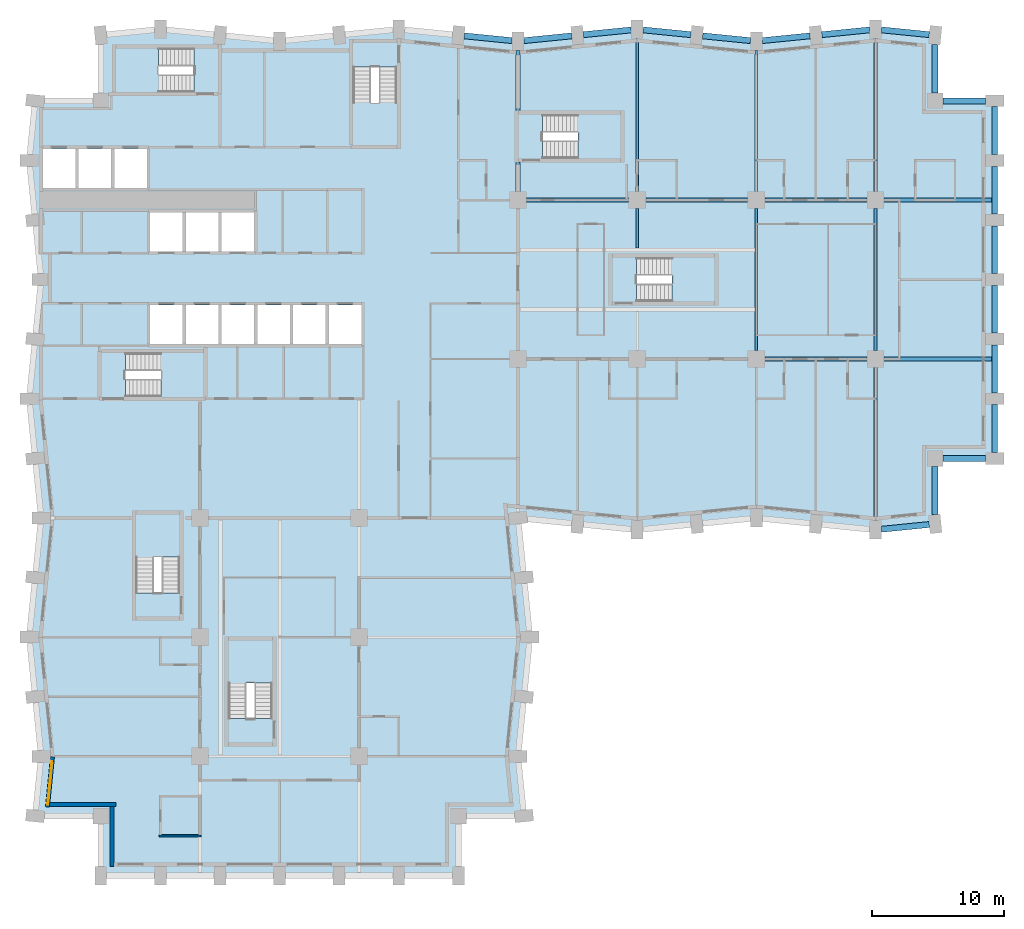
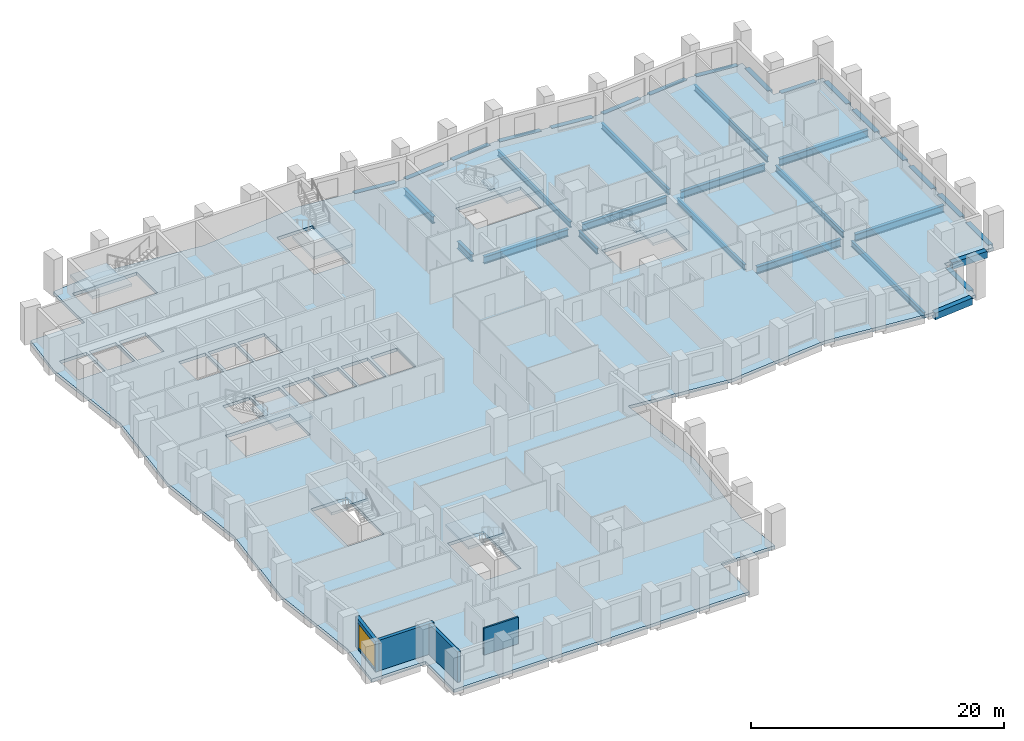
# One storey, part 2 of 13: 34 beams, 8 slabs, 4 walls, 1 window, 1 opening, 7 elements without a shape of their own.
"""IFC4 building model written with IfcOpenShell, lengths in metres."""

from ifc_helpers import new_model, si_unit, direction, frame, frame_2d, origin, origin_2d, place, context, subcontext, project, spatial, polyline, rectangle, i_section, outline, extrude, material, layer, layer_set, material_profile, profile_set, type_object, element, fill, aggregate, save


model = new_model("IFC4")

# Units and contexts
model_context = context("Model", 3, precision=1e-05, world=origin(), true_north=direction((0.0, 1.0)))
body_context = subcontext(model_context, "Body", "Model", "MODEL_VIEW")
ifc_project = project(units=[si_unit("LENGTHUNIT", "METRE"), si_unit("AREAUNIT", "SQUARE_METRE"), si_unit("VOLUMEUNIT", "CUBIC_METRE"), si_unit("PLANEANGLEUNIT", "RADIAN"), si_unit("MASSUNIT", "GRAM", prefix="KILO")], contexts=[model_context])

# Site, building, storey
site_placement = place(None, origin())
site = spatial("IfcSite", under=ifc_project, at=site_placement, CompositionType="ELEMENT")
building_placement = place(site_placement, origin())
building = spatial("IfcBuilding", under=site, at=building_placement, Name="Brondeck Convention Tower", CompositionType="ELEMENT")
storey_placement = place(building_placement, frame((0.0, 0.0, 69.89990234375)))
storey = spatial("IfcBuildingStorey", under=building, at=storey_placement, Name="L15", CompositionType="ELEMENT", Elevation=69.89990234375)

# Beams
ifc_material_1 = material(Name="Steel S355", Category="steel")
ifc_material_profile_1 = material_profile(ifc_material_1, i_section(OverallWidth=0.2099609375, OverallDepth=0.550048828125, WebThickness=0.010986328125, FlangeThickness=0.01708984375, FilletRadius=0.02392578125, at=origin_2d()), Name="IPE 550")
ifc_profile_set_1 = profile_set([ifc_material_profile_1], Name="Steel S355")
beam_type_1 = type_object("IfcBeamType", Name="Floor beam IPE 550", PredefinedType="BEAM", material=ifc_profile_set_1)
beam_1_placement = place(storey_placement, frame((45.0, 51.64990234375, -0.574951171875), z_axis=(0.0, 1.0, 0.0), x_axis=(-1.0, 0.0, 0.0)))
element("IfcBeam", 1, at=beam_1_placement, inside=storey, type_object=beam_type_1, Name="STR-FB-L15-002", PredefinedType="BEAM", context=body_context, shape_type="SweptSolid", body=[
    extrude(i_section(OverallWidth=0.2099609375, OverallDepth=0.550048828125, WebThickness=0.010986328125, FlangeThickness=0.01708984375, FilletRadius=0.02392578125, at=origin_2d()), origin(), (0.0, 0.0, 1.0), 11.550048828125),
])
beam_2_placement = place(storey_placement, frame((54.0, 39.64990234375, -0.574951171875), z_axis=(0.0, 1.0, 0.0), x_axis=(-1.0, 0.0, 0.0)))
element("IfcBeam", 2, at=beam_2_placement, inside=storey, type_object=beam_type_1, Name="STR-FB-L15-004", PredefinedType="BEAM", context=body_context, shape_type="SweptSolid", body=[
    extrude(i_section(OverallWidth=0.2099609375, OverallDepth=0.550048828125, WebThickness=0.010986328125, FlangeThickness=0.01708984375, FilletRadius=0.02392578125, at=origin_2d()), origin(), (0.0, 0.0, 1.0), 10.7001953125),
])
beam_3_placement = place(storey_placement, frame((54.0, 51.64990234375, -0.574951171875), z_axis=(0.0, 1.0, 0.0), x_axis=(-1.0, 0.0, 0.0)))
element("IfcBeam", 3, at=beam_3_placement, inside=storey, type_object=beam_type_1, Name="STR-FB-L15-005", PredefinedType="BEAM", context=body_context, shape_type="SweptSolid", body=[
    extrude(i_section(OverallWidth=0.2099609375, OverallDepth=0.550048828125, WebThickness=0.010986328125, FlangeThickness=0.01708984375, FilletRadius=0.02392578125, at=origin_2d()), origin(), (0.0, 0.0, 1.0), 10.650146484375),
])
beam_4_placement = place(storey_placement, frame((63.0, 26.800048828125, -0.574951171875), z_axis=(0.0, 1.0, 0.0), x_axis=(-1.0, 0.0, 0.0)))
element("IfcBeam", 4, at=beam_4_placement, inside=storey, type_object=beam_type_1, Name="STR-FB-L15-006", PredefinedType="BEAM", context=body_context, shape_type="SweptSolid", body=[
    extrude(i_section(OverallWidth=0.2099609375, OverallDepth=0.550048828125, WebThickness=0.010986328125, FlangeThickness=0.01708984375, FilletRadius=0.02392578125, at=origin_2d()), origin(), (0.0, 0.0, 1.0), 11.550048828125),
])
beam_5_placement = place(storey_placement, frame((63.0, 39.64990234375, -0.574951171875), z_axis=(0.0, 1.0, 0.0), x_axis=(-1.0, 0.0, 0.0)))
element("IfcBeam", 5, at=beam_5_placement, inside=storey, type_object=beam_type_1, Name="STR-FB-L15-007", PredefinedType="BEAM", context=body_context, shape_type="SweptSolid", body=[
    extrude(i_section(OverallWidth=0.2099609375, OverallDepth=0.550048828125, WebThickness=0.010986328125, FlangeThickness=0.01708984375, FilletRadius=0.02392578125, at=origin_2d()), origin(), (0.0, 0.0, 1.0), 10.7001953125),
])
beam_6_placement = place(storey_placement, frame((63.0, 51.64990234375, -0.574951171875), z_axis=(0.0, 1.0, 0.0), x_axis=(-1.0, 0.0, 0.0)))
element("IfcBeam", 6, at=beam_6_placement, inside=storey, type_object=beam_type_1, Name="STR-FB-L15-008", PredefinedType="BEAM", context=body_context, shape_type="SweptSolid", body=[
    extrude(i_section(OverallWidth=0.2099609375, OverallDepth=0.550048828125, WebThickness=0.010986328125, FlangeThickness=0.01708984375, FilletRadius=0.02392578125, at=origin_2d()), origin(), (0.0, 0.0, 1.0), 11.550048828125),
])
beam_7_placement = place(storey_placement, frame((45.0, 47.39990234375, -0.574951171875), z_axis=(0.0, 1.0, 0.0), x_axis=(-1.0, 0.0, 0.0)))
element("IfcBeam", 7, at=beam_7_placement, inside=storey, type_object=beam_type_1, Name="STR-FB-L15-015", PredefinedType="BEAM", context=body_context, shape_type="SweptSolid", body=[
    extrude(i_section(OverallWidth=0.2099609375, OverallDepth=0.550048828125, WebThickness=0.010986328125, FlangeThickness=0.01708984375, FilletRadius=0.02392578125, at=origin_2d()), origin(), (0.0, 0.0, 1.0), 2.9501953125),
])
ifc_material_profile_2 = material_profile(ifc_material_1, i_section(OverallWidth=0.300048828125, OverallDepth=0.699951171875, WebThickness=0.01708984375, FlangeThickness=0.031982421875, FilletRadius=0.027099609375, at=origin_2d()), Name="HEB 700")
ifc_profile_set_2 = profile_set([ifc_material_profile_2], Name="Steel S355")
beam_type_2 = type_object("IfcBeamType", Name="Girder HEB 700", PredefinedType="BEAM", material=ifc_profile_set_2)
beam_8_placement = place(storey_placement, frame((54.64990234375, 39.0, -0.64990234375), z_axis=(1.0, 0.0, 0.0), x_axis=(0.0, 1.0, 0.0)))
element("IfcBeam", 8, at=beam_8_placement, inside=storey, type_object=beam_type_2, Name="STR-GR-L15-003", PredefinedType="BEAM", context=body_context, shape_type="SweptSolid", body=[
    extrude(i_section(OverallWidth=0.300048828125, OverallDepth=0.699951171875, WebThickness=0.01708984375, FlangeThickness=0.031982421875, FilletRadius=0.027099609375, at=origin_2d()), origin(), (0.0, 0.0, 1.0), 7.7001953125),
])
beam_9_placement = place(storey_placement, frame((63.64990234375, 39.0, -0.64990234375), z_axis=(1.0, 0.0, 0.0), x_axis=(0.0, 1.0, 0.0)))
element("IfcBeam", 9, at=beam_9_placement, inside=storey, type_object=beam_type_2, Name="STR-GR-L15-004", PredefinedType="BEAM", context=body_context, shape_type="SweptSolid", body=[
    extrude(i_section(OverallWidth=0.300048828125, OverallDepth=0.699951171875, WebThickness=0.01708984375, FlangeThickness=0.031982421875, FilletRadius=0.027099609375, at=origin_2d()), origin(), (0.0, 0.0, 1.0), 8.125),
])
for number, where, z_axis, x_axis, name in (
    (10, (36.64990234375, 51.0, -0.64990234375), (1.0, 0.0, 0.0), (0.0, 1.0, 0.0), "STR-GR-L15-005"),
    (11, (45.64990234375, 51.0, -0.64990234375), (1.0, 0.0, 0.0), (0.0, 1.0, 0.0), "STR-GR-L15-006"),
    (12, (54.64990234375, 51.0, -0.64990234375), (1.0, 0.0, 0.0), (0.0, 1.0, 0.0), "STR-GR-L15-007"),
):
    element("IfcBeam", number, at=place(storey_placement, frame(where, z_axis=z_axis, x_axis=x_axis)), inside=storey, type_object=beam_type_2, Name=name, PredefinedType="BEAM", context=body_context, shape_type="SweptSolid", body=[
        extrude(i_section(OverallWidth=0.300048828125, OverallDepth=0.699951171875, WebThickness=0.01708984375, FlangeThickness=0.031982421875, FilletRadius=0.027099609375, at=origin_2d()), origin(), (0.0, 0.0, 1.0), 7.7001953125),
    ])
beam_10_placement = place(storey_placement, frame((63.64990234375, 51.0, -0.64990234375), z_axis=(1.0, 0.0, 0.0), x_axis=(0.0, 1.0, 0.0)))
element("IfcBeam", 13, at=beam_10_placement, inside=storey, type_object=beam_type_2, Name="STR-GR-L15-008", PredefinedType="BEAM", context=body_context, shape_type="SweptSolid", body=[
    extrude(i_section(OverallWidth=0.300048828125, OverallDepth=0.699951171875, WebThickness=0.01708984375, FlangeThickness=0.031982421875, FilletRadius=0.027099609375, at=origin_2d()), origin(), (0.0, 0.0, 1.0), 8.125),
])
beam_11_placement = place(storey_placement, frame((36.0, 51.64990234375, -0.64990234375), z_axis=(0.0, 1.0, 0.0), x_axis=(-1.0, 0.0, 0.0)))
element("IfcBeam", 14, at=beam_11_placement, inside=storey, type_object=beam_type_2, Name="STR-GR-L15-011", PredefinedType="BEAM", context=body_context, shape_type="SweptSolid", body=[
    extrude(i_section(OverallWidth=0.300048828125, OverallDepth=0.699951171875, WebThickness=0.01708984375, FlangeThickness=0.031982421875, FilletRadius=0.027099609375, at=origin_2d()), origin(), (0.0, 0.0, 1.0), 2.22998046875),
])
beam_12_placement = place(storey_placement, frame((36.0, 57.719970703125, -0.64990234375), z_axis=(0.0, 1.0, 0.0), x_axis=(-1.0, 0.0, 0.0)))
element("IfcBeam", 15, at=beam_12_placement, inside=storey, type_object=beam_type_2, Name="STR-GR-L15-012", PredefinedType="BEAM", context=body_context, shape_type="SweptSolid", body=[
    extrude(i_section(OverallWidth=0.300048828125, OverallDepth=0.699951171875, WebThickness=0.01708984375, FlangeThickness=0.031982421875, FilletRadius=0.027099609375, at=origin_2d()), origin(), (0.0, 0.0, 1.0), 4.580078125),
])
ifc_material_2 = material(Name="Concrete C80/95", Category="concrete")
ifc_material_profile_3 = material_profile(ifc_material_2, rectangle(XDim=0.449951171875, YDim=0.64990234375, at=origin_2d()), Name="Precast spandrel 450x650 Concrete C80/95")
ifc_profile_set_3 = profile_set([ifc_material_profile_3], Name="Concrete C80/95")
beam_type_3 = type_object("IfcBeamType", Name="Precast spandrel 450x650 Concrete C80/95", PredefinedType="SPANDREL", material=ifc_profile_set_3)
beam_13_placement = place(storey_placement, frame((63.449951171875, 26.14501953125, -0.324951171875), z_axis=(0.995040528141, 0.099470334057, 0.0), x_axis=(-0.099470334057, 0.995040528141, 0.0)))
element("IfcBeam", 16, at=beam_13_placement, inside=storey, type_object=beam_type_3, Name="STR-SP-L15-020", PredefinedType="SPANDREL", context=body_context, shape_type="SweptSolid", body=[
    extrude(rectangle(XDim=0.449951171875, YDim=0.64990234375, at=origin_2d()), origin(), (0.0, 0.0, 1.0), 3.620361328125),
])
beam_14_placement = place(storey_placement, frame((67.5, 27.25341796875, -0.324951171875), z_axis=(0.0, 1.0, 0.0), x_axis=(-1.0, 0.0, 0.0)))
element("IfcBeam", 17, at=beam_14_placement, inside=storey, type_object=beam_type_3, Name="STR-SP-L15-021", PredefinedType="SPANDREL", context=body_context, shape_type="SweptSolid", body=[
    extrude(rectangle(XDim=0.449951171875, YDim=0.64990234375, at=origin_2d()), origin(), (0.0, 0.0, 1.0), 3.646484375),
])
beam_15_placement = place(storey_placement, frame((68.10009765625, 31.5, -0.324951171875), z_axis=(1.0, 0.0, 0.0), x_axis=(0.0, 1.0, 0.0)))
element("IfcBeam", 18, at=beam_15_placement, inside=storey, type_object=beam_type_3, Name="STR-SP-L15-022", PredefinedType="SPANDREL", context=body_context, shape_type="SweptSolid", body=[
    extrude(rectangle(XDim=0.449951171875, YDim=0.64990234375, at=origin_2d()), origin(), (0.0, 0.0, 1.0), 3.199951171875),
])
for number, where, z_axis, x_axis, name in (
    (19, (72.0, 31.949951171875, -0.324951171875), (0.0, 1.0, 0.0), (-1.0, 0.0, 0.0), "STR-SP-L15-023"),
    (20, (72.0, 36.449951171875, -0.324951171875), (0.0, 1.0, 0.0), (-1.0, 0.0, 0.0), "STR-SP-L15-024"),
    (21, (72.0, 40.949951171875, -0.324951171875), (0.0, 1.0, 0.0), (-1.0, 0.0, 0.0), "STR-SP-L15-025"),
    (22, (72.0, 45.449951171875, -0.324951171875), (0.0, 1.0, 0.0), (-1.0, 0.0, 0.0), "STR-SP-L15-026"),
    (23, (72.0, 49.949951171875, -0.324951171875), (0.0, 1.0, 0.0), (-1.0, 0.0, 0.0), "STR-SP-L15-027"),
    (24, (72.0, 54.449951171875, -0.324951171875), (0.0, 1.0, 0.0), (-1.0, 0.0, 0.0), "STR-SP-L15-028"),
):
    element("IfcBeam", number, at=place(storey_placement, frame(where, z_axis=z_axis, x_axis=x_axis)), inside=storey, type_object=beam_type_3, Name=name, PredefinedType="SPANDREL", context=body_context, shape_type="SweptSolid", body=[
        extrude(rectangle(XDim=0.449951171875, YDim=0.64990234375, at=origin_2d()), origin(), (0.0, 0.0, 1.0), 3.60009765625),
    ])
beam_16_placement = place(storey_placement, frame((71.300048828125, 58.5, -0.324951171875), z_axis=(-1.0, 0.0, 0.0), x_axis=(0.0, -1.0, 0.0)))
element("IfcBeam", 25, at=beam_16_placement, inside=storey, type_object=beam_type_3, Name="STR-SP-L15-029", PredefinedType="SPANDREL", context=body_context, shape_type="SweptSolid", body=[
    extrude(rectangle(XDim=0.449951171875, YDim=0.64990234375, at=origin_2d()), origin(), (0.0, 0.0, 1.0), 3.199951171875),
])
beam_17_placement = place(storey_placement, frame((67.5, 59.10009765625, -0.324951171875), z_axis=(0.0, 1.0, 0.0), x_axis=(-1.0, 0.0, 0.0)))
element("IfcBeam", 26, at=beam_17_placement, inside=storey, type_object=beam_type_3, Name="STR-SP-L15-030", PredefinedType="SPANDREL", context=body_context, shape_type="SweptSolid", body=[
    extrude(rectangle(XDim=0.449951171875, YDim=0.64990234375, at=origin_2d()), origin(), (0.0, 0.0, 1.0), 3.646484375),
])
for number, where, z_axis, x_axis, name in (
    (27, (67.05224609375, 63.494873046875, -0.324951171875), (-0.995040528141, 0.099470334057, 0.0), (-0.099470334057, -0.995040528141, 0.0), "STR-SP-L15-031"),
    (28, (62.550048828125, 63.85498046875, -0.324951171875), (-0.995040528141, -0.099470334057, 0.0), (0.099470334057, -0.995040528141, 0.0), "STR-SP-L15-032"),
    (29, (58.05224609375, 63.4052734375, -0.324951171875), (-0.995033851182, -0.099537103649, 0.0), (0.099537103649, -0.995033851182, 0.0), "STR-SP-L15-033"),
    (30, (53.550048828125, 63.044921875, -0.324951171875), (-0.995033851182, 0.099537103649, 0.0), (-0.099537103649, -0.995033851182, 0.0), "STR-SP-L15-034"),
    (31, (49.05224609375, 63.494873046875, -0.324951171875), (-0.995040528141, 0.099470334057, 0.0), (-0.099470334057, -0.995040528141, 0.0), "STR-SP-L15-035"),
    (32, (44.550048828125, 63.85498046875, -0.324951171875), (-0.995040528141, -0.099470334057, 0.0), (0.099470334057, -0.995040528141, 0.0), "STR-SP-L15-036"),
    (33, (40.05224609375, 63.4052734375, -0.324951171875), (-0.995033851182, -0.099537103649, 0.0), (0.099537103649, -0.995033851182, 0.0), "STR-SP-L15-037"),
    (34, (35.550048828125, 63.044921875, -0.324951171875), (-0.995033851182, 0.099537103649, 0.0), (-0.099537103649, -0.995033851182, 0.0), "STR-SP-L15-038"),
):
    element("IfcBeam", number, at=place(storey_placement, frame(where, z_axis=z_axis, x_axis=x_axis)), inside=storey, type_object=beam_type_3, Name=name, PredefinedType="SPANDREL", context=body_context, shape_type="SweptSolid", body=[
        extrude(rectangle(XDim=0.449951171875, YDim=0.64990234375, at=origin_2d()), origin(), (0.0, 0.0, 1.0), 3.620361328125),
    ])

# Slab
ifc_material_3 = material(Name="Concrete C35/45", Category="concrete")
ifc_layer_1 = layer(ifc_material_3, 0.300048828125)
ifc_layer_set_1 = layer_set([ifc_layer_1], Name="Composite floor slab 300")
slab_type_1 = type_object("IfcSlabType", Name="Composite floor slab 300", PredefinedType="FLOOR", material=ifc_layer_set_1)
slab_1_placement = place(storey_placement, frame((0.0, 0.0, -0.2998046875)))
element("IfcSlab", 35, at=slab_1_placement, inside=storey, type_object=slab_type_1, Name="STR-SL-L15", PredefinedType="FLOOR", context=body_context, shape_type="SweptSolid", body=[
    extrude(outline(polyline([(4.5, 4.5), (-0.449951171875, 4.5), (0.0, 9.0), (-0.89990234375, 18.0), (0.0, 27.0), (-0.89990234375, 36.0), (0.0, 45.0), (-0.89990234375, 54.0), (-0.449951171875, 58.5), (4.5, 58.5), (4.5, 63.449951171875), (9.0, 63.89990234375), (18.0, 63.0), (27.0, 63.89990234375), (36.0, 63.0), (45.0, 63.89990234375), (54.0, 63.0), (63.0, 63.89990234375), (67.5, 63.449951171875), (67.5, 58.5), (72.0, 58.5), (72.0, 31.5), (67.5, 31.5), (67.5, 26.550048828125), (63.0, 26.10009765625), (54.0, 27.0), (45.0, 26.10009765625), (36.0, 27.0), (36.89990234375, 18.0), (36.0, 9.0), (36.449951171875, 4.5), (31.5, 4.5), (31.5, 0.0), (4.5, 0.0), (4.5, 4.5)]), holes=[polyline([(10.447998046875, 27.248046875), (7.152099609375, 27.248046875), (7.152099609375, 21.35205078125), (10.447998046875, 21.35205078125), (10.447998046875, 27.248046875)]), polyline([(12.248046875, 36.152099609375), (12.248046875, 39.447998046875), (6.35205078125, 39.447998046875), (6.35205078125, 36.152099609375), (12.248046875, 36.152099609375)]), polyline([(10.675048828125, 40.125), (10.675048828125, 43.074951171875), (8.22509765625, 43.074951171875), (8.22509765625, 40.125), (10.675048828125, 40.125)]), polyline([(13.375, 40.125), (13.375, 43.074951171875), (10.925048828125, 43.074951171875), (10.925048828125, 40.125), (13.375, 40.125)]), polyline([(10.675048828125, 47.125), (10.675048828125, 50.074951171875), (8.22509765625, 50.074951171875), (8.22509765625, 47.125), (10.675048828125, 47.125)]), polyline([(13.375, 47.125), (13.375, 50.074951171875), (10.925048828125, 50.074951171875), (10.925048828125, 47.125), (13.375, 47.125)]), polyline([(2.574951171875, 51.925048828125), (2.574951171875, 54.875), (0.125, 54.875), (0.125, 51.925048828125), (2.574951171875, 51.925048828125)]), polyline([(2.824951171875, 51.925048828125), (5.27490234375, 51.925048828125), (5.27490234375, 54.875), (2.824951171875, 54.875), (2.824951171875, 51.925048828125)]), polyline([(5.52490234375, 51.925048828125), (7.97509765625, 51.925048828125), (7.97509765625, 54.875), (5.52490234375, 54.875), (5.52490234375, 51.925048828125)]), polyline([(5.652099609375, 62.447998046875), (5.652099609375, 59.152099609375), (11.548095703125, 59.152099609375), (11.548095703125, 62.447998046875), (5.652099609375, 62.447998046875)]), polyline([(17.447998046875, 17.748046875), (14.152099609375, 17.748046875), (14.152099609375, 11.85205078125), (17.447998046875, 11.85205078125), (17.447998046875, 17.748046875)]), polyline([(16.074951171875, 40.125), (16.074951171875, 43.074951171875), (13.625, 43.074951171875), (13.625, 40.125), (16.074951171875, 40.125)]), polyline([(16.324951171875, 40.125), (18.77490234375, 40.125), (18.77490234375, 43.074951171875), (16.324951171875, 43.074951171875), (16.324951171875, 40.125)]), polyline([(19.02490234375, 40.125), (21.47509765625, 40.125), (21.47509765625, 43.074951171875), (19.02490234375, 43.074951171875), (19.02490234375, 40.125)]), polyline([(24.175048828125, 40.125), (24.175048828125, 43.074951171875), (21.72509765625, 43.074951171875), (21.72509765625, 40.125), (24.175048828125, 40.125)]), polyline([(50.847900390625, 43.35205078125), (50.847900390625, 46.64794921875), (44.951904296875, 46.64794921875), (44.951904296875, 43.35205078125), (50.847900390625, 43.35205078125)]), polyline([(16.074951171875, 47.125), (16.074951171875, 50.074951171875), (13.625, 50.074951171875), (13.625, 47.125), (16.074951171875, 47.125)]), polyline([(37.85205078125, 54.152099609375), (43.748046875, 54.152099609375), (43.748046875, 57.447998046875), (37.85205078125, 57.447998046875), (37.85205078125, 54.152099609375)]), polyline([(23.552001953125, 61.048095703125), (23.552001953125, 55.152099609375), (26.847900390625, 55.152099609375), (26.847900390625, 61.048095703125), (23.552001953125, 61.048095703125)])]), origin(), (0.0, 0.0, 1.0), 0.2998046875),
])

# Stair, slab
ifc_material_4 = material(Name="Precast concrete C50/60", Category="concrete")
stair_type = type_object("IfcStairType", Name="Core stair 20 risers 180.00 mm riser 300 mm going 1350 wide", PredefinedType="HALF_TURN_STAIR", material=ifc_material_4)
stair_1_placement = place(storey_placement, origin())
stair_1 = element("IfcStair", 36, at=stair_1_placement, inside=storey, type_object=stair_type, Name="ST-1 L15 stair", PredefinedType="HALF_TURN_STAIR")
ifc_layer_2 = layer(ifc_material_4, 0.25)
ifc_layer_set_2 = layer_set([ifc_layer_2], Name="Core stair landing 250 Precast concrete C50/60")
slab_type_2 = type_object("IfcSlabType", Name="Core stair landing 250 Precast concrete C50/60", PredefinedType="LANDING", material=ifc_layer_set_2)
slab_2_placement = place(storey_placement, frame((0.0, 0.0, 1.550048828125)))
slab_2 = element("IfcSlab", 37, at=slab_2_placement, type_object=slab_type_2, Name="ST-1 landing 1", PredefinedType="LANDING", context=body_context, shape_type="SweptSolid", body=[
    extrude(outline(polyline([(9.048095703125, 37.5), (9.050048828125, 37.5), (9.050048828125, 38.10009765625), (8.75, 38.10009765625), (8.75, 39.570068359375), (12.3701171875, 39.570068359375), (12.3701171875, 36.030029296875), (9.048095703125, 36.030029296875), (9.048095703125, 37.5)])), origin(), (0.0, 0.0, 1.0), 0.25),
])
aggregate(stair_1, [slab_2])

stair_2_placement = place(storey_placement, origin())
stair_2 = element("IfcStair", 38, at=stair_2_placement, inside=storey, type_object=stair_type, Name="ST-2 L15 stair", PredefinedType="HALF_TURN_STAIR")
slab_3_placement = place(storey_placement, frame((0.0, 0.0, 1.550048828125)))
slab_3 = element("IfcSlab", 39, at=slab_3_placement, type_object=slab_type_2, Name="ST-2 landing 1", PredefinedType="LANDING", context=body_context, shape_type="SweptSolid", body=[
    extrude(outline(polyline([(23.429931640625, 58.35205078125), (24.89990234375, 58.35205078125), (24.89990234375, 58.35009765625), (25.5, 58.35009765625), (25.5, 58.64990234375), (26.969970703125, 58.64990234375), (26.969970703125, 55.030029296875), (23.429931640625, 55.030029296875), (23.429931640625, 58.35205078125)])), origin(), (0.0, 0.0, 1.0), 0.25),
])
aggregate(stair_2, [slab_3])

stair_3_placement = place(storey_placement, origin())
stair_3 = element("IfcStair", 40, at=stair_3_placement, inside=storey, type_object=stair_type, Name="ST-3 L15 stair", PredefinedType="HALF_TURN_STAIR")
slab_4_placement = place(storey_placement, frame((0.0, 0.0, 1.550048828125)))
slab_4 = element("IfcSlab", 41, at=slab_4_placement, type_object=slab_type_2, Name="ST-3 landing 1", PredefinedType="LANDING", context=body_context, shape_type="SweptSolid", body=[
    extrude(outline(polyline([(9.14990234375, 60.5), (9.14990234375, 59.030029296875), (5.530029296875, 59.030029296875), (5.530029296875, 62.570068359375), (8.85205078125, 62.570068359375), (8.85205078125, 61.10009765625), (8.85009765625, 61.10009765625), (8.85009765625, 60.5), (9.14990234375, 60.5)])), origin(), (0.0, 0.0, 1.0), 0.25),
])
aggregate(stair_3, [slab_4])

stair_4_placement = place(storey_placement, origin())
stair_4 = element("IfcStair", 42, at=stair_4_placement, inside=storey, type_object=stair_type, Name="ST-AE L15 stair", PredefinedType="HALF_TURN_STAIR")
slab_5_placement = place(storey_placement, frame((0.0, 0.0, 1.550048828125)))
slab_5 = element("IfcSlab", 43, at=slab_5_placement, type_object=slab_type_2, Name="ST-AE landing 1", PredefinedType="LANDING", context=body_context, shape_type="SweptSolid", body=[
    extrude(outline(polyline([(40.548095703125, 55.5), (40.550048828125, 55.5), (40.550048828125, 56.10009765625), (40.25, 56.10009765625), (40.25, 57.570068359375), (43.8701171875, 57.570068359375), (43.8701171875, 54.030029296875), (40.548095703125, 54.030029296875), (40.548095703125, 55.5)])), origin(), (0.0, 0.0, 1.0), 0.25),
])
aggregate(stair_4, [slab_5])

stair_5_placement = place(storey_placement, origin())
stair_5 = element("IfcStair", 44, at=stair_5_placement, inside=storey, type_object=stair_type, Name="ST-BE L15 stair", PredefinedType="HALF_TURN_STAIR")
slab_6_placement = place(storey_placement, frame((0.0, 0.0, 1.550048828125)))
slab_6 = element("IfcSlab", 45, at=slab_6_placement, type_object=slab_type_2, Name="ST-BE landing 1", PredefinedType="LANDING", context=body_context, shape_type="SweptSolid", body=[
    extrude(outline(polyline([(7.030029296875, 23.75), (7.030029296875, 27.3701171875), (10.570068359375, 27.3701171875), (10.570068359375, 24.048095703125), (9.10009765625, 24.048095703125), (9.10009765625, 24.050048828125), (8.5, 24.050048828125), (8.5, 23.75), (7.030029296875, 23.75)])), origin(), (0.0, 0.0, 1.0), 0.25),
])
aggregate(stair_5, [slab_6])

stair_6_placement = place(storey_placement, origin())
stair_6 = element("IfcStair", 46, at=stair_6_placement, inside=storey, type_object=stair_type, Name="ST-AF L15 stair", PredefinedType="HALF_TURN_STAIR")
slab_7_placement = place(storey_placement, frame((0.0, 0.0, 1.550048828125)))
slab_7 = element("IfcSlab", 47, at=slab_7_placement, type_object=slab_type_2, Name="ST-AF landing 1", PredefinedType="LANDING", context=body_context, shape_type="SweptSolid", body=[
    extrude(outline(polyline([(47.64794921875, 44.699951171875), (47.64990234375, 44.699951171875), (47.64990234375, 45.300048828125), (47.35009765625, 45.300048828125), (47.35009765625, 46.77001953125), (50.969970703125, 46.77001953125), (50.969970703125, 43.22998046875), (47.64794921875, 43.22998046875), (47.64794921875, 44.699951171875)])), origin(), (0.0, 0.0, 1.0), 0.25),
])
aggregate(stair_6, [slab_7])

stair_7_placement = place(storey_placement, origin())
stair_7 = element("IfcStair", 48, at=stair_7_placement, inside=storey, type_object=stair_type, Name="ST-BF L15 stair", PredefinedType="HALF_TURN_STAIR")
slab_8_placement = place(storey_placement, frame((0.0, 0.0, 1.550048828125)))
slab_8 = element("IfcSlab", 49, at=slab_8_placement, type_object=slab_type_2, Name="ST-BF landing 1", PredefinedType="LANDING", context=body_context, shape_type="SweptSolid", body=[
    extrude(outline(polyline([(14.030029296875, 14.25), (14.030029296875, 17.8701171875), (17.570068359375, 17.8701171875), (17.570068359375, 14.548095703125), (16.10009765625, 14.548095703125), (16.10009765625, 14.550048828125), (15.5, 14.550048828125), (15.5, 14.25), (14.030029296875, 14.25)])), origin(), (0.0, 0.0, 1.0), 0.25),
])
aggregate(stair_7, [slab_8])

# Wall, opening, window
ifc_material_5 = material(Name="Precast concrete C50/60 bronze finish", Category="concrete")
ifc_layer_3 = layer(ifc_material_5, 0.070068359375, Name="Bronze precast facing")
ifc_material_6 = material(Name="Mineral wool")
ifc_layer_4 = layer(ifc_material_6, 0.159912109375, Name="Insulation")
ifc_layer_5 = layer(ifc_material_3, 0.070068359375, Name="Backing")
ifc_layer_set_3 = layer_set([ifc_layer_3, ifc_layer_4, ifc_layer_5], Name="External infill wall, precast concrete C50/60 bronze facing")
wall_type_1 = type_object("IfcWallType", Name="External infill wall, precast concrete C50/60 bronze facing", PredefinedType="SOLIDWALL", material=ifc_layer_set_3)
wall_1_placement = place(storey_placement, frame((0.47265625, 5.18505859375, 0.0), z_axis=(0.0, 0.0, 1.0), x_axis=(0.099541845169, 0.995033376857, 0.0)))
wall_1 = element("IfcWall", 50, at=wall_1_placement, inside=storey, type_object=wall_type_1, Name="ENV-EW-L15-P0-B-W-12", PredefinedType="SOLIDWALL", context=body_context, shape_type="SweptSolid", body=[
    extrude(rectangle(XDim=3.803955078125, YDim=0.300048828125, at=frame_2d((1.90185546875, 0.0))), origin(), (0.0, 0.0, 1.0), 2.9501953125),
])
opening_placement = place(wall_1_placement, frame((0.14990234375, 0.0, 0.14990234375)))
opening = element("IfcOpeningElement", 51, at=opening_placement, cuts=wall_1, Name="Opening W9", PredefinedType="OPENING", context=body_context, shape_type="SweptSolid", body=[
    extrude(rectangle(XDim=3.300048828125, YDim=2.39990234375, at=frame_2d((1.64990234375, 1.199951171875))), frame((0.0, 0.159912109375, 0.0), z_axis=(0.0, -1.0, 0.0), x_axis=(1.0, 0.0, 0.0)), (0.0, 0.0, 1.0), 0.320068359375),
])
ifc_material_7 = material(Name="Bronze tinted double glazing", Category="glass")
window_type = type_object("IfcWindowType", Name="Glazed flute window, bronze tinted", PartitioningType="SINGLE_PANEL", PredefinedType="WINDOW", material=ifc_material_7)
window_placement = place(opening_placement, origin())
window = element("IfcWindow", 52, at=window_placement, inside=storey, type_object=window_type, Name="ENV-WN-L15-P0-B-W-12", OverallHeight=2.39990234375, OverallWidth=3.300048828125, PartitioningType="SINGLE_PANEL", PredefinedType="WINDOW", context=body_context, shape_type="SweptSolid", body=[
    extrude(rectangle(XDim=3.300048828125, YDim=2.39990234375, at=frame_2d((1.64990234375, 1.199951171875))), frame((0.0, 0.030029296875, 0.0), z_axis=(0.0, -1.0, 0.0), x_axis=(1.0, 0.0, 0.0)), (0.0, 0.0, 1.0), 0.06005859375),
])
fill(opening, window)

# Walls
wall_2_placement = place(storey_placement, frame((5.64990234375, 5.35009765625, 0.0), z_axis=(0.0, 0.0, 1.0), x_axis=(-1.0, 0.0, 0.0)))
element("IfcWall", 53, at=wall_2_placement, inside=storey, type_object=wall_type_1, Name="ENV-EW-L15-P0-NC-SWB0-01", PredefinedType="SOLIDWALL", context=body_context, shape_type="SweptSolid", body=[
    extrude(rectangle(XDim=5.004638671875, YDim=0.300048828125, at=frame_2d((2.50244140625, 0.0))), origin(), (0.0, 0.0, 1.0), 2.9501953125),
])
wall_3_placement = place(storey_placement, frame((5.35009765625, 0.699951171875, 0.0), z_axis=(0.0, 0.0, 1.0), x_axis=(0.0, 1.0, 0.0)))
element("IfcWall", 54, at=wall_3_placement, inside=storey, type_object=wall_type_1, Name="ENV-EW-L15-P0-NC-SWB0-02", PredefinedType="SOLIDWALL", context=body_context, shape_type="SweptSolid", body=[
    extrude(rectangle(XDim=4.5, YDim=0.300048828125, at=frame_2d((2.25, 0.0))), origin(), (0.0, 0.0, 1.0), 2.9501953125),
])
ifc_material_8 = material(Name="Double gypsum board acoustic wall")
ifc_layer_6 = layer(ifc_material_8, 0.14990234375)
ifc_layer_set_4 = layer_set([ifc_layer_6], Name="Guest room party wall 150")
wall_type_2 = type_object("IfcWallType", Name="Guest room party wall 150", PredefinedType="PARTITIONING", material=ifc_layer_set_4)
wall_4_placement = place(storey_placement, frame((8.925048828125, 3.0, 0.0), z_axis=(0.0, 0.0, 1.0), x_axis=(1.0, 0.0, 0.0)))
element("IfcWall", 55, at=wall_4_placement, inside=storey, type_object=wall_type_2, Name="FLR-L15-W001", PredefinedType="PARTITIONING", context=body_context, shape_type="SweptSolid", body=[
    extrude(rectangle(XDim=3.14990234375, YDim=0.14990234375, at=frame_2d((1.574951171875, 0.0))), origin(), (0.0, 0.0, 1.0), 2.580078125),
])

save(model, "model.ifc")
